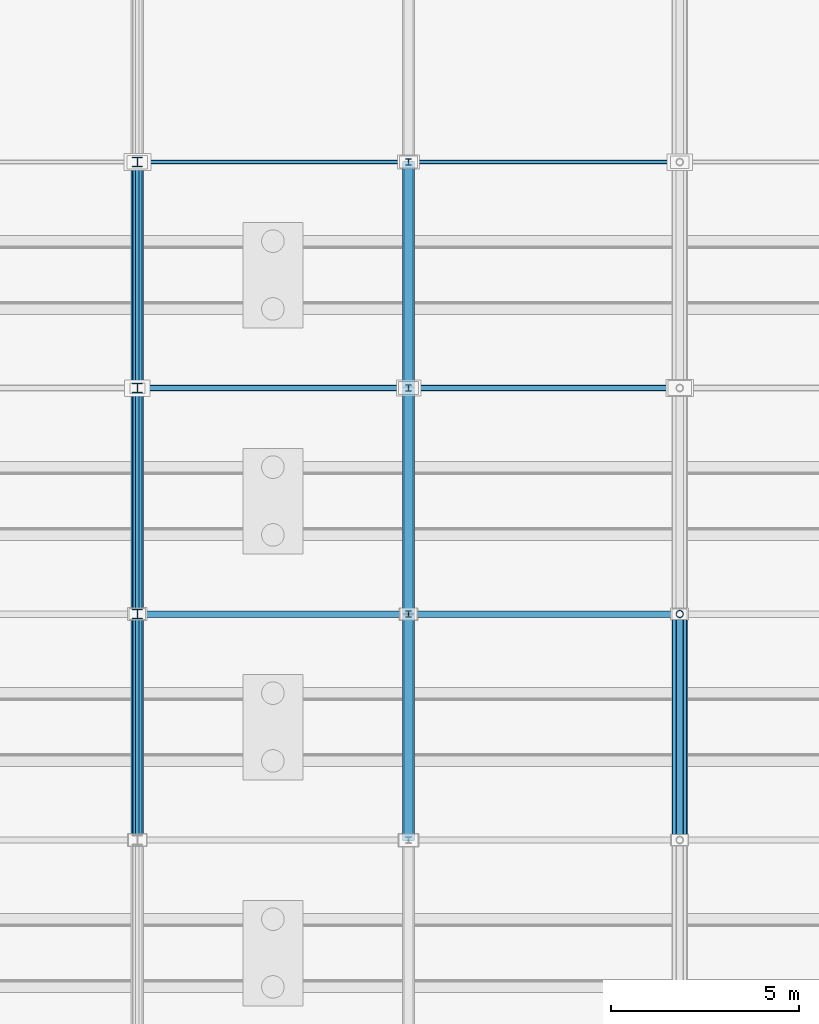
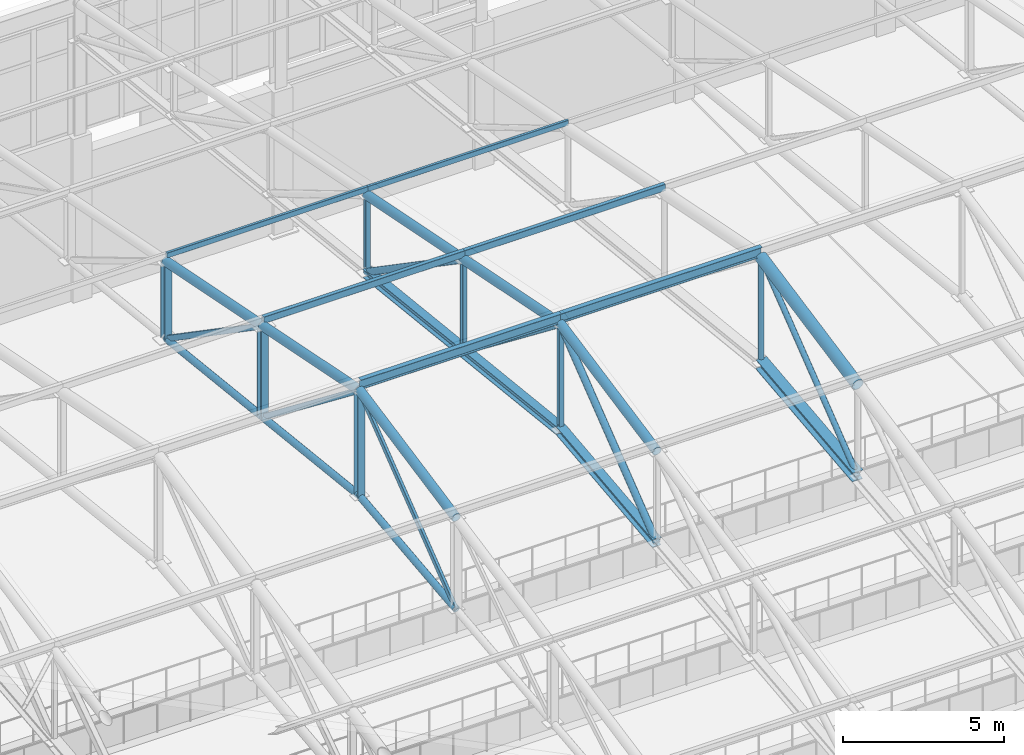
# One storey, part 181 of 293: 34 members.
"""IFC4 building model written with IfcOpenShell, lengths in metres."""

from ifc_helpers import new_model, si_unit, direction, frame, origin, origin_2d, place, context, subcontext, project, spatial, hollow_rectangle, hollow_circle, i_section, extrude, material, material_profile, profile_set, type_object, element, save


model = new_model("IFC4")

# Units and contexts
model_context = context("Model", 3, precision=1e-05, world=origin(), true_north=direction((0.0, 1.0)))
body_context = subcontext(model_context, "Body", "Model", "MODEL_VIEW")
ifc_project = project(units=[si_unit("LENGTHUNIT", "METRE"), si_unit("AREAUNIT", "SQUARE_METRE"), si_unit("VOLUMEUNIT", "CUBIC_METRE"), si_unit("PLANEANGLEUNIT", "RADIAN"), si_unit("MASSUNIT", "GRAM", prefix="KILO")], contexts=[model_context])

# Site, building, storey
site_placement = place(None, origin())
site = spatial("IfcSite", under=ifc_project, at=site_placement, CompositionType="ELEMENT")
building_placement = place(site_placement, origin())
building = spatial("IfcBuilding", under=site, at=building_placement, Name="Kemerveld Promenade Tramway Depot", CompositionType="ELEMENT")
storey_placement = place(building_placement, origin())
storey = spatial("IfcBuildingStorey", under=building, at=storey_placement, Name="L00", CompositionType="ELEMENT", Elevation=0.0)

# Members
ifc_material = material(Name="Steel S355", Category="steel")
ifc_material_profile_1 = material_profile(ifc_material, hollow_rectangle(XDim=0.10009765625, YDim=0.199951171875, WallThickness=0.008056640625, InnerFilletRadius=0.00390625, OuterFilletRadius=0.011962890625, at=origin_2d()), Name="200x100x8.0 RHS")
ifc_profile_set_1 = profile_set([ifc_material_profile_1], Name="Steel S355")
member_type_1 = type_object("IfcMemberType", Name="MB-M03", PredefinedType="BRACE", material=ifc_profile_set_1)
for number, where, z_axis, x_axis, name in (
    (1, (129.60009765625, 108.0, 12.43994140625), (0.0, 0.789767329101, 0.613406525793), (-1.0, 0.0, 0.0), "TR-19-DG-05"),
    (2, (129.60009765625, 120.0, 12.43994140625), (0.0, -0.789767329101, 0.613406525793), (1.0, 0.0, 0.0), "TR-19-DG-06"),
):
    element("IfcMember", number, at=place(storey_placement, frame(where, z_axis=z_axis, x_axis=x_axis)), inside=storey, type_object=member_type_1, Name=name, PredefinedType="BRACE", context=body_context, shape_type="SweptSolid", body=[
        extrude(hollow_rectangle(XDim=0.10009765625, YDim=0.199951171875, WallThickness=0.008056640625, InnerFilletRadius=0.00390625, OuterFilletRadius=0.011962890625, at=origin_2d()), origin(), (0.0, 0.0, 1.0), 7.59716796875),
    ])
member_1_placement = place(storey_placement, frame((129.60009765625, 126.0, 11.780029296875), z_axis=(0.0, -0.824370638462, 0.566050395673), x_axis=(1.0, 0.0, 0.0)))
element("IfcMember", 3, at=member_1_placement, inside=storey, type_object=member_type_1, Name="TR-19-DG-07", PredefinedType="BRACE", context=body_context, shape_type="SweptSolid", body=[
    extrude(hollow_rectangle(XDim=0.10009765625, YDim=0.199951171875, WallThickness=0.008056640625, InnerFilletRadius=0.00390625, OuterFilletRadius=0.011962890625, at=origin_2d()), origin(), (0.0, 0.0, 1.0), 7.2783203125),
])
ifc_material_profile_2 = material_profile(ifc_material, i_section(OverallWidth=0.25634765625, OverallDepth=0.26025390625, WebThickness=0.01025390625, FlangeThickness=0.017333984375, FilletRadius=0.0126953125, at=origin_2d()), Name="254x254x89 UC")
ifc_profile_set_2 = profile_set([ifc_material_profile_2], Name="Steel S355")
member_type_2 = type_object("IfcMemberType", Name="MB-M04", PredefinedType="POST", material=ifc_profile_set_2)
member_2_placement = place(storey_placement, frame((129.60009765625, 114.0, 13.10009765625), z_axis=(0.0, 0.0, 1.0), x_axis=(1.0, 0.0, 0.0)))
element("IfcMember", 4, at=member_2_placement, inside=storey, type_object=member_type_2, Name="TR-19-VT-05", PredefinedType="POST", context=body_context, shape_type="SweptSolid", body=[
    extrude(i_section(OverallWidth=0.25634765625, OverallDepth=0.26025390625, WebThickness=0.01025390625, FlangeThickness=0.017333984375, FilletRadius=0.0126953125, at=origin_2d()), origin(), (0.0, 0.0, 1.0), 4.0),
])
member_3_placement = place(storey_placement, frame((129.60009765625, 120.0, 12.43994140625), z_axis=(0.0, 0.0, 1.0), x_axis=(1.0, 0.0, 0.0)))
element("IfcMember", 5, at=member_3_placement, inside=storey, type_object=member_type_2, Name="TR-19-VT-06", PredefinedType="POST", context=body_context, shape_type="SweptSolid", body=[
    extrude(i_section(OverallWidth=0.25634765625, OverallDepth=0.26025390625, WebThickness=0.01025390625, FlangeThickness=0.017333984375, FilletRadius=0.0126953125, at=origin_2d()), origin(), (0.0, 0.0, 1.0), 3.4599609375),
])
member_4_placement = place(storey_placement, frame((129.60009765625, 126.0, 11.780029296875), z_axis=(0.0, 0.0, 1.0), x_axis=(1.0, 0.0, 0.0)))
element("IfcMember", 6, at=member_4_placement, inside=storey, type_object=member_type_2, Name="TR-19-VT-07", PredefinedType="POST", context=body_context, shape_type="SweptSolid", body=[
    extrude(i_section(OverallWidth=0.25634765625, OverallDepth=0.26025390625, WebThickness=0.01025390625, FlangeThickness=0.017333984375, FilletRadius=0.0126953125, at=origin_2d()), origin(), (0.0, 0.0, 1.0), 2.919921875),
])
ifc_material_profile_3 = material_profile(ifc_material, i_section(OverallWidth=0.154296875, OverallDepth=0.161865234375, WebThickness=0.008056640625, FlangeThickness=0.011474609375, FilletRadius=0.007568359375, at=origin_2d()), Name="152x152x37 UC")
ifc_profile_set_3 = profile_set([ifc_material_profile_3], Name="Steel S355")
member_type_3 = type_object("IfcMemberType", Name="MB-M05", PredefinedType="POST", material=ifc_profile_set_3)
member_5_placement = place(storey_placement, frame((136.800048828125, 114.0, 13.10009765625), z_axis=(0.0, 0.0, 1.0), x_axis=(1.0, 0.0, 0.0)))
element("IfcMember", 7, at=member_5_placement, inside=storey, type_object=member_type_3, Name="TR-20-VT-05", PredefinedType="POST", context=body_context, shape_type="SweptSolid", body=[
    extrude(i_section(OverallWidth=0.154296875, OverallDepth=0.161865234375, WebThickness=0.008056640625, FlangeThickness=0.011474609375, FilletRadius=0.007568359375, at=origin_2d()), origin(), (0.0, 0.0, 1.0), 4.0),
])
member_6_placement = place(storey_placement, frame((136.800048828125, 120.0, 12.43994140625), z_axis=(0.0, 0.0, 1.0), x_axis=(1.0, 0.0, 0.0)))
element("IfcMember", 8, at=member_6_placement, inside=storey, type_object=member_type_3, Name="TR-20-VT-06", PredefinedType="POST", context=body_context, shape_type="SweptSolid", body=[
    extrude(i_section(OverallWidth=0.154296875, OverallDepth=0.161865234375, WebThickness=0.008056640625, FlangeThickness=0.011474609375, FilletRadius=0.007568359375, at=origin_2d()), origin(), (0.0, 0.0, 1.0), 3.4599609375),
])
member_7_placement = place(storey_placement, frame((136.800048828125, 126.0, 11.780029296875), z_axis=(0.0, 0.0, 1.0), x_axis=(1.0, 0.0, 0.0)))
element("IfcMember", 9, at=member_7_placement, inside=storey, type_object=member_type_3, Name="TR-20-VT-07", PredefinedType="POST", context=body_context, shape_type="SweptSolid", body=[
    extrude(i_section(OverallWidth=0.154296875, OverallDepth=0.161865234375, WebThickness=0.008056640625, FlangeThickness=0.011474609375, FilletRadius=0.007568359375, at=origin_2d()), origin(), (0.0, 0.0, 1.0), 2.919921875),
])
ifc_material_profile_4 = material_profile(ifc_material, i_section(OverallWidth=0.172119140625, OverallDepth=0.35791015625, WebThickness=0.008056640625, FlangeThickness=0.012939453125, FilletRadius=0.01025390625, at=origin_2d()), Name="356x171x57 UB")
ifc_profile_set_4 = profile_set([ifc_material_profile_4], Name="Steel S355")
member_type_4 = type_object("IfcMemberType", Name="MB-M07", PredefinedType="PURLIN", material=ifc_profile_set_4)
for number, where, z_axis, x_axis, name in (
    (10, (129.60009765625, 114.0, 17.344970703125), (1.0, 0.0, 0.0), (0.0, 1.0, 0.0), "PUR-V1-05-19"),
    (11, (136.800048828125, 114.0, 17.344970703125), (1.0, 0.0, 0.0), (0.0, 1.0, 0.0), "PUR-V1-05-20"),
):
    element("IfcMember", number, at=place(storey_placement, frame(where, z_axis=z_axis, x_axis=x_axis)), inside=storey, type_object=member_type_4, Name=name, PredefinedType="PURLIN", context=body_context, shape_type="SweptSolid", body=[
        extrude(i_section(OverallWidth=0.172119140625, OverallDepth=0.35791015625, WebThickness=0.008056640625, FlangeThickness=0.012939453125, FilletRadius=0.01025390625, at=origin_2d()), origin(), (0.0, 0.0, 1.0), 7.199951171875),
    ])
ifc_material_profile_5 = material_profile(ifc_material, i_section(OverallWidth=0.37255859375, OverallDepth=0.3681640625, WebThickness=0.014404296875, FlangeThickness=0.023681640625, FilletRadius=0.01513671875, at=origin_2d()), Name="356x368x177 UC")
ifc_profile_set_5 = profile_set([ifc_material_profile_5], Name="Steel S355")
member_type_5 = type_object("IfcMemberType", Name="MB-M08", PredefinedType="CHORD", material=ifc_profile_set_5)
member_8_placement = place(storey_placement, frame((144.0, 108.0, 12.43994140625), z_axis=(0.0, 0.994001542248, 0.109366055104), x_axis=(-1.0, 0.0, 0.0)))
element("IfcMember", 12, at=member_8_placement, inside=storey, type_object=member_type_5, Name="TR-21-BC-05", PredefinedType="CHORD", context=body_context, shape_type="SweptSolid", body=[
    extrude(i_section(OverallWidth=0.37255859375, OverallDepth=0.3681640625, WebThickness=0.014404296875, FlangeThickness=0.023681640625, FilletRadius=0.01513671875, at=origin_2d()), origin(), (0.0, 0.0, 1.0), 6.0361328125),
])
ifc_material_profile_6 = material_profile(ifc_material, hollow_rectangle(XDim=0.14990234375, YDim=0.25, WallThickness=0.010009765625, InnerFilletRadius=0.0048828125, OuterFilletRadius=0.014892578125, at=origin_2d()), Name="250x150x10.0 RHS")
ifc_profile_set_6 = profile_set([ifc_material_profile_6], Name="Steel S355")
member_type_6 = type_object("IfcMemberType", Name="MB-PR1", PredefinedType="PURLIN", material=ifc_profile_set_6)
for number, where, z_axis, x_axis, name in (
    (13, (129.60009765625, 120.0, 16.14501953125), (1.0, 0.0, 0.0), (0.0, 1.0, 0.0), "PUR-V1-06-19"),
    (14, (136.800048828125, 120.0, 16.14501953125), (1.0, 0.0, 0.0), (0.0, 1.0, 0.0), "PUR-V1-06-20"),
):
    element("IfcMember", number, at=place(storey_placement, frame(where, z_axis=z_axis, x_axis=x_axis)), inside=storey, type_object=member_type_6, Name=name, PredefinedType="PURLIN", context=body_context, shape_type="SweptSolid", body=[
        extrude(hollow_rectangle(XDim=0.14990234375, YDim=0.25, WallThickness=0.010009765625, InnerFilletRadius=0.0048828125, OuterFilletRadius=0.014892578125, at=origin_2d()), origin(), (0.0, 0.0, 1.0), 7.199951171875),
    ])
ifc_material_profile_7 = material_profile(ifc_material, hollow_rectangle(XDim=0.10009765625, YDim=0.199951171875, WallThickness=0.008056640625, InnerFilletRadius=0.00390625, OuterFilletRadius=0.011962890625, at=origin_2d()), Name="200x100x8.0 RHS")
ifc_profile_set_7 = profile_set([ifc_material_profile_7], Name="Steel S355")
member_type_7 = type_object("IfcMemberType", Name="MB-PR2", PredefinedType="PURLIN", material=ifc_profile_set_7)
for number, where, z_axis, x_axis, name in (
    (15, (129.60009765625, 126.0, 14.945068359375), (1.0, 0.0, 0.0), (0.0, 1.0, 0.0), "PUR-V1-07-19"),
    (16, (136.800048828125, 126.0, 14.945068359375), (1.0, 0.0, 0.0), (0.0, 1.0, 0.0), "PUR-V1-07-20"),
):
    element("IfcMember", number, at=place(storey_placement, frame(where, z_axis=z_axis, x_axis=x_axis)), inside=storey, type_object=member_type_7, Name=name, PredefinedType="PURLIN", context=body_context, shape_type="SweptSolid", body=[
        extrude(hollow_rectangle(XDim=0.10009765625, YDim=0.199951171875, WallThickness=0.008056640625, InnerFilletRadius=0.00390625, OuterFilletRadius=0.011962890625, at=origin_2d()), origin(), (0.0, 0.0, 1.0), 7.199951171875),
    ])
ifc_material_profile_8 = material_profile(ifc_material, hollow_circle(Radius=0.122314453125, WallThickness=0.010009765625, at=origin_2d()), Name="244.5x10.0 CHS")
ifc_profile_set_8 = profile_set([ifc_material_profile_8], Name="Steel S355")
member_type_8 = type_object("IfcMemberType", Name="MB-TB1", PredefinedType="BRACE", material=ifc_profile_set_8)
for number, where, z_axis, x_axis, name in (
    (17, (136.800048828125, 108.0, 12.43994140625), (0.0, 0.789767329101, 0.613406525793), (-1.0, 0.0, 0.0), "TR-20-DG-05"),
    (18, (136.800048828125, 120.0, 12.43994140625), (0.0, -0.789767329101, 0.613406525793), (1.0, 0.0, 0.0), "TR-20-DG-06"),
):
    element("IfcMember", number, at=place(storey_placement, frame(where, z_axis=z_axis, x_axis=x_axis)), inside=storey, type_object=member_type_8, Name=name, PredefinedType="BRACE", context=body_context, shape_type="SweptSolid", body=[
        extrude(hollow_circle(Radius=0.122314453125, WallThickness=0.010009765625, at=origin_2d()), origin(), (0.0, 0.0, 1.0), 7.59716796875),
    ])
member_9_placement = place(storey_placement, frame((136.800048828125, 126.0, 11.780029296875), z_axis=(0.0, -0.824370638462, 0.566050395673), x_axis=(1.0, 0.0, 0.0)))
element("IfcMember", 19, at=member_9_placement, inside=storey, type_object=member_type_8, Name="TR-20-DG-07", PredefinedType="BRACE", context=body_context, shape_type="SweptSolid", body=[
    extrude(hollow_circle(Radius=0.122314453125, WallThickness=0.010009765625, at=origin_2d()), origin(), (0.0, 0.0, 1.0), 7.2783203125),
])
ifc_material_profile_9 = material_profile(ifc_material, hollow_circle(Radius=0.096923828125, WallThickness=0.008056640625, at=origin_2d()), Name="193.7x8.0 CHS")
ifc_profile_set_9 = profile_set([ifc_material_profile_9], Name="Steel S355")
member_type_9 = type_object("IfcMemberType", Name="MB-TB2", PredefinedType="BRACE", material=ifc_profile_set_9)
member_10_placement = place(storey_placement, frame((144.0, 108.0, 12.43994140625), z_axis=(0.0, 0.789767329101, 0.613406525793), x_axis=(-1.0, 0.0, 0.0)))
element("IfcMember", 20, at=member_10_placement, inside=storey, type_object=member_type_9, Name="TR-21-DG-05", PredefinedType="BRACE", context=body_context, shape_type="SweptSolid", body=[
    extrude(hollow_circle(Radius=0.096923828125, WallThickness=0.008056640625, at=origin_2d()), origin(), (0.0, 0.0, 1.0), 7.59716796875),
])
ifc_material_profile_10 = material_profile(ifc_material, hollow_circle(Radius=0.203125, WallThickness=0.01611328125, at=origin_2d()), Name="406.4x16.0 CHS")
ifc_profile_set_10 = profile_set([ifc_material_profile_10], Name="Steel S355")
member_type_10 = type_object("IfcMemberType", Name="MB-TC1", PredefinedType="CHORD", material=ifc_profile_set_10)
member_11_placement = place(storey_placement, frame((144.0, 108.0, 15.89990234375), z_axis=(0.0, 0.980574536798, 0.196146827104), x_axis=(-1.0, 0.0, 0.0)))
element("IfcMember", 21, at=member_11_placement, inside=storey, type_object=member_type_10, Name="TR-21-TC-05", PredefinedType="CHORD", context=body_context, shape_type="SweptSolid", body=[
    extrude(hollow_circle(Radius=0.203125, WallThickness=0.01611328125, at=origin_2d()), origin(), (0.0, 0.0, 1.0), 6.118896484375),
])
ifc_material_profile_11 = material_profile(ifc_material, hollow_circle(Radius=0.161865234375, WallThickness=0.012451171875, at=origin_2d()), Name="323.9x12.5 CHS")
ifc_profile_set_11 = profile_set([ifc_material_profile_11], Name="Steel S355")
member_type_11 = type_object("IfcMemberType", Name="MB-TC2", PredefinedType="CHORD", material=ifc_profile_set_11)
for number, where, z_axis, x_axis, name in (
    (22, (129.60009765625, 108.0, 15.89990234375), (0.0, 0.980574536798, 0.196146827104), (-1.0, 0.0, 0.0), "TR-19-TC-05"),
    (23, (129.60009765625, 114.0, 17.10009765625), (0.0, 0.980574536798, -0.196146827104), (-1.0, 0.0, 0.0), "TR-19-TC-06"),
    (24, (129.60009765625, 120.0, 15.89990234375), (0.0, 0.980582210276, -0.196108462057), (-1.0, 0.0, 0.0), "TR-19-TC-07"),
    (25, (136.800048828125, 108.0, 15.89990234375), (0.0, 0.980574536798, 0.196146827104), (-1.0, 0.0, 0.0), "TR-20-TC-05"),
    (26, (136.800048828125, 114.0, 17.10009765625), (0.0, 0.980574536798, -0.196146827104), (-1.0, 0.0, 0.0), "TR-20-TC-06"),
    (27, (136.800048828125, 120.0, 15.89990234375), (0.0, 0.980582210276, -0.196108462057), (-1.0, 0.0, 0.0), "TR-20-TC-07"),
):
    element("IfcMember", number, at=place(storey_placement, frame(where, z_axis=z_axis, x_axis=x_axis)), inside=storey, type_object=member_type_11, Name=name, PredefinedType="CHORD", context=body_context, shape_type="SweptSolid", body=[
        extrude(hollow_circle(Radius=0.161865234375, WallThickness=0.012451171875, at=origin_2d()), origin(), (0.0, 0.0, 1.0), 6.118896484375),
    ])
ifc_material_profile_12 = material_profile(ifc_material, hollow_circle(Radius=0.122314453125, WallThickness=0.010009765625, at=origin_2d()), Name="244.5x10.0 CHS")
ifc_profile_set_12 = profile_set([ifc_material_profile_12], Name="Steel S355")
member_type_12 = type_object("IfcMemberType", Name="MB-TC3", PredefinedType="CHORD", material=ifc_profile_set_12)
for number, where, z_axis, x_axis, name in (
    (28, (129.60009765625, 108.0, 12.43994140625), (0.0, 0.994001542248, 0.109366055104), (-1.0, 0.0, 0.0), "TR-19-BC-05"),
    (29, (129.60009765625, 114.0, 13.10009765625), (0.0, 0.994001542248, -0.109366055104), (-1.0, 0.0, 0.0), "TR-19-BC-06"),
    (30, (129.60009765625, 120.0, 12.43994140625), (0.0, 0.994005938353, -0.109326092585), (-1.0, 0.0, 0.0), "TR-19-BC-07"),
):
    element("IfcMember", number, at=place(storey_placement, frame(where, z_axis=z_axis, x_axis=x_axis)), inside=storey, type_object=member_type_12, Name=name, PredefinedType="CHORD", context=body_context, shape_type="SweptSolid", body=[
        extrude(hollow_circle(Radius=0.122314453125, WallThickness=0.010009765625, at=origin_2d()), origin(), (0.0, 0.0, 1.0), 6.0361328125),
    ])
ifc_material_profile_13 = material_profile(ifc_material, i_section(OverallWidth=0.307373046875, OverallDepth=0.314453125, WebThickness=0.011962890625, FlangeThickness=0.018798828125, FilletRadius=0.01513671875, at=origin_2d()), Name="305x305x118 UC")
ifc_profile_set_13 = profile_set([ifc_material_profile_13], Name="Steel S355")
member_type_13 = type_object("IfcMemberType", Name="MB-TC4", PredefinedType="CHORD", material=ifc_profile_set_13)
for number, where, z_axis, x_axis, name in (
    (31, (136.800048828125, 108.0, 12.43994140625), (0.0, 0.994001542248, 0.109366055104), (-1.0, 0.0, 0.0), "TR-20-BC-05"),
    (32, (136.800048828125, 114.0, 13.10009765625), (0.0, 0.994001542248, -0.109366055104), (-1.0, 0.0, 0.0), "TR-20-BC-06"),
    (33, (136.800048828125, 120.0, 12.43994140625), (0.0, 0.994005938353, -0.109326092585), (-1.0, 0.0, 0.0), "TR-20-BC-07"),
):
    element("IfcMember", number, at=place(storey_placement, frame(where, z_axis=z_axis, x_axis=x_axis)), inside=storey, type_object=member_type_13, Name=name, PredefinedType="CHORD", context=body_context, shape_type="SweptSolid", body=[
        extrude(i_section(OverallWidth=0.307373046875, OverallDepth=0.314453125, WebThickness=0.011962890625, FlangeThickness=0.018798828125, FilletRadius=0.01513671875, at=origin_2d()), origin(), (0.0, 0.0, 1.0), 6.0361328125),
    ])
ifc_material_profile_14 = material_profile(ifc_material, hollow_circle(Radius=0.096923828125, WallThickness=0.008056640625, at=origin_2d()), Name="193.7x8.0 CHS")
ifc_profile_set_14 = profile_set([ifc_material_profile_14], Name="Steel S355")
member_type_14 = type_object("IfcMemberType", Name="MB-TP1", PredefinedType="POST", material=ifc_profile_set_14)
member_12_placement = place(storey_placement, frame((144.0, 114.0, 13.10009765625), z_axis=(0.0, 0.0, 1.0), x_axis=(1.0, 0.0, 0.0)))
element("IfcMember", 34, at=member_12_placement, inside=storey, type_object=member_type_14, Name="TR-21-VT-05", PredefinedType="POST", context=body_context, shape_type="SweptSolid", body=[
    extrude(hollow_circle(Radius=0.096923828125, WallThickness=0.008056640625, at=origin_2d()), origin(), (0.0, 0.0, 1.0), 4.0),
])

save(model, "model.ifc")
